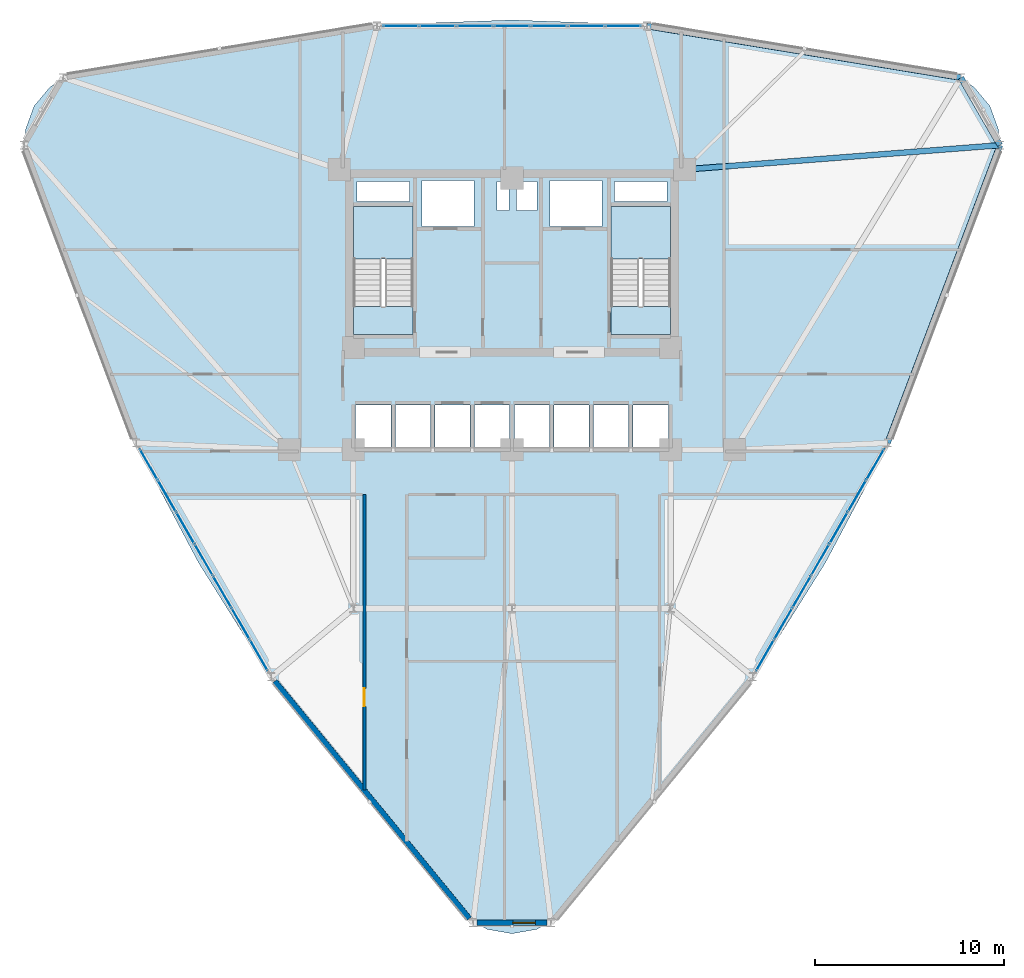
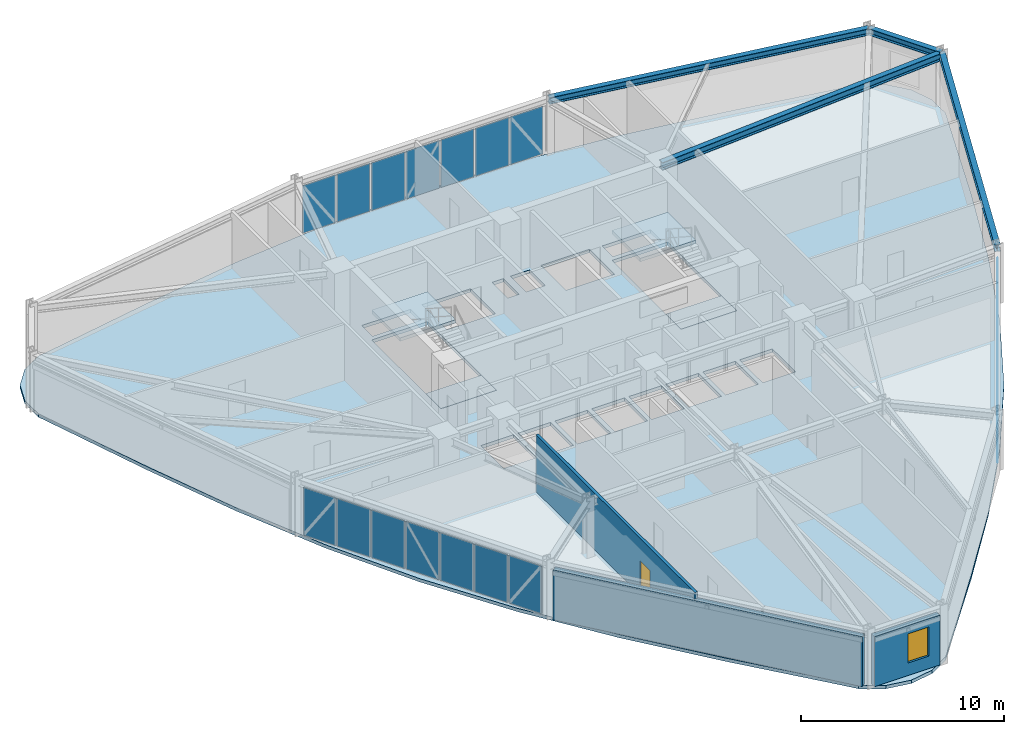
# One storey, part 11 of 17: 21 plates, 5 slabs, 4 beams, 3 walls, 1 door, 1 window, 2 openings, 5 elements without a shape of their own.
"""IFC4 building model written with IfcOpenShell, lengths in metres."""

from ifc_helpers import new_model, si_unit, derived_unit, direction, frame, frame_2d, origin, origin_2d, place, context, subcontext, project, spatial, polyline, rectangle, i_section, outline, extrude, source, transform, mapped, material, layer, layer_set, material_profile, profile_set, type_object, element, fill, aggregate, save


model = new_model("IFC4")

# Units and contexts
model_context = context("Model", 3, precision=1e-05, world=origin(), true_north=direction((0.0, 1.0)))
body_context = subcontext(model_context, "Body", "Model", "MODEL_VIEW")
ifc_project = project(units=[si_unit("LENGTHUNIT", "METRE"), si_unit("AREAUNIT", "SQUARE_METRE"), si_unit("VOLUMEUNIT", "CUBIC_METRE"), si_unit("PLANEANGLEUNIT", "RADIAN"), si_unit("MASSUNIT", "GRAM", prefix="KILO"), derived_unit("THERMALTRANSMITTANCEUNIT", [(si_unit("POWERUNIT", "WATT"), 1), (si_unit("LENGTHUNIT", "METRE"), -2), (si_unit("THERMODYNAMICTEMPERATUREUNIT", "KELVIN"), -1)])], contexts=[model_context])

# Site, building, storey
site_placement = place(None, origin())
site = spatial("IfcSite", under=ifc_project, at=site_placement, CompositionType="ELEMENT")
building_placement = place(site_placement, origin())
building = spatial("IfcBuilding", under=site, at=building_placement, Name="Korsvarv Bourse and Concert Hall", CompositionType="ELEMENT")
storey_placement = place(building_placement, frame((0.0, 0.0, 102.60009765625)))
storey = spatial("IfcBuildingStorey", under=building, at=storey_placement, Name="L25", CompositionType="ELEMENT", Elevation=102.60009765625)

# Beams
ifc_material_1 = material(Name="Steel S355", Category="steel")
ifc_material_profile_1 = material_profile(ifc_material_1, i_section(OverallWidth=0.300048828125, OverallDepth=0.39990234375, WebThickness=0.013427734375, FlangeThickness=0.02392578125, FilletRadius=0.02099609375, at=origin_2d()), Name="HEB 400")
ifc_profile_set_1 = profile_set([ifc_material_profile_1], Name="Steel S355")
beam_type_1 = type_object("IfcBeamType", Name="BM-HEB400", PredefinedType="SPANDREL", material=ifc_profile_set_1)
shared_shape_1 = source(origin(), body_context, "Body", "SweptSolid", [
    extrude(i_section(OverallWidth=0.300048828125, OverallDepth=0.39990234375, WebThickness=0.013427734375, FlangeThickness=0.02392578125, FilletRadius=0.02099609375, at=origin_2d()), origin(), (0.0, 0.0, 1.0), 4.136962890625),
])
beam_1_placement = place(storey_placement, frame((61.851318359375, 48.536865234375, 3.199951171875), z_axis=(-0.500042586076, 0.866000815306, 0.0), x_axis=(-0.866000815306, -0.500042586076, 0.0)))
element("IfcBeam", 1, at=beam_1_placement, inside=storey, type_object=beam_type_1, Name="L25 beam B-09", PredefinedType="SPANDREL", context=body_context, shape_type="MappedRepresentation", body=[
    mapped(shared_shape_1, transform((0.0, 0.0, 0.0), scale=1.0)),
])
shared_shape_2 = source(origin(), body_context, "Body", "SweptSolid", [
    extrude(i_section(OverallWidth=0.300048828125, OverallDepth=0.39990234375, WebThickness=0.013427734375, FlangeThickness=0.02392578125, FilletRadius=0.02099609375, at=origin_2d()), origin(), (0.0, 0.0, 1.0), 16.856201171875),
])
for number, where, z_axis, x_axis, name in (
    (2, (59.78271484375, 52.119384765625, 3.199951171875), (-0.986776405202, 0.162087402768, 0.0), (-0.162087402768, -0.986776405202, 0.0), "L25 beam B-09"),
    (3, (55.900634765625, 32.765869140625, 3.199951171875), (0.353024240889, 0.935614175472, 0.0), (-0.935614175472, 0.353024240889, 0.0), "L25 beam B-09"),
):
    element("IfcBeam", number, at=place(storey_placement, frame(where, z_axis=z_axis, x_axis=x_axis)), inside=storey, type_object=beam_type_1, Name=name, PredefinedType="SPANDREL", context=body_context, shape_type="MappedRepresentation", body=[
        mapped(shared_shape_2, transform((0.0, 0.0, 0.0), scale=1.0)),
    ])
ifc_material_profile_2 = material_profile(ifc_material_1, i_section(OverallWidth=0.300048828125, OverallDepth=0.449951171875, WebThickness=0.013916015625, FlangeThickness=0.02587890625, FilletRadius=0.02099609375, at=origin_2d()), Name="HEB 450")
ifc_profile_set_2 = profile_set([ifc_material_profile_2], Name="Steel S355")
beam_type_2 = type_object("IfcBeamType", Name="BM-HEB450", PredefinedType="SPANDREL", material=ifc_profile_set_2)
shared_shape_3 = source(origin(), body_context, "Body", "SweptSolid", [
    extrude(i_section(OverallWidth=0.300048828125, OverallDepth=0.449951171875, WebThickness=0.013916015625, FlangeThickness=0.02587890625, FilletRadius=0.02099609375, at=origin_2d()), origin(), (0.0, 0.0, 1.0), 16.7509765625),
])
beam_2_placement = place(storey_placement, frame((61.851318359375, 48.536865234375, 3.1748046875), z_axis=(-0.997044703744, -0.076823555869, 0.0), x_axis=(0.076823555869, -0.997044703744, 0.0)))
element("IfcBeam", 4, at=beam_2_placement, inside=storey, type_object=beam_type_2, Name="L25 beam B-08", PredefinedType="SPANDREL", context=body_context, shape_type="MappedRepresentation", body=[
    mapped(shared_shape_3, transform((0.0, 0.0, 0.0), scale=1.0)),
])

# Slabs
ifc_material_2 = material(Name="Precast concrete C45/55", Category="concrete")
ifc_layer_1 = layer(ifc_material_2, 0.199951171875)
ifc_layer_set_1 = layer_set([ifc_layer_1], Name="Precast concrete C45/55")
slab_type_1 = type_object("IfcSlabType", Name="SLB-FLND-T", PredefinedType="LANDING", material=ifc_layer_set_1)
slab_1_placement = place(storey_placement, frame((0.0, 0.0, -0.2001953125)))
element("IfcSlab", 5, at=slab_1_placement, inside=storey, type_object=slab_type_1, Name="L25 Stair ST-T1 Floor Landing Slab", PredefinedType="LANDING", context=body_context, shape_type="SweptSolid", body=[
    extrude(outline(polyline([(30.760009765625, 38.5), (30.760009765625, 40.0), (27.60009765625, 40.0), (27.60009765625, 38.5), (30.760009765625, 38.5)])), origin(), (0.0, 0.0, 1.0), 0.2001953125),
])
slab_2_placement = place(storey_placement, frame((0.0, 0.0, -0.2001953125)))
element("IfcSlab", 6, at=slab_2_placement, inside=storey, type_object=slab_type_1, Name="L25 Stair ST-T2 Floor Landing Slab", PredefinedType="LANDING", context=body_context, shape_type="SweptSolid", body=[
    extrude(outline(polyline([(44.39990234375, 38.5), (44.39990234375, 40.0), (41.239990234375, 40.0), (41.239990234375, 38.5), (44.39990234375, 38.5)])), origin(), (0.0, 0.0, 1.0), 0.2001953125),
])

# Stair, slab
stair_type = type_object("IfcStairType", Name="STR-TYPE-04", PredefinedType="HALF_TURN_STAIR", material=ifc_material_2)
stair_1_placement = place(storey_placement, origin())
stair_1 = element("IfcStair", 7, at=stair_1_placement, inside=storey, type_object=stair_type, Name="L25 Tower West Exit Stair ST-T1", PredefinedType="HALF_TURN_STAIR")
ifc_layer_2 = layer(ifc_material_2, 0.199951171875)
ifc_layer_set_2 = layer_set([ifc_layer_2], Name="Precast concrete C45/55")
slab_type_2 = type_object("IfcSlabType", Name="SLB-ST-LND", PredefinedType="LANDING", material=ifc_layer_set_2)
slab_3_placement = place(storey_placement, frame((0.0, 0.0, 1.599853515625)))
slab_3 = element("IfcSlab", 8, at=slab_3_placement, type_object=slab_type_2, Name="ST-T1 landing 1", PredefinedType="LANDING", context=body_context, shape_type="SweptSolid", body=[
    extrude(outline(polyline([(30.760009765625, 42.52001953125), (30.760009765625, 45.300048828125), (27.60009765625, 45.300048828125), (27.60009765625, 42.52001953125), (30.760009765625, 42.52001953125)])), origin(), (0.0, 0.0, 1.0), 0.199951171875),
])
aggregate(stair_1, [slab_3])

stair_2_placement = place(storey_placement, origin())
stair_2 = element("IfcStair", 9, at=stair_2_placement, inside=storey, type_object=stair_type, Name="L25 Tower East Exit Stair ST-T2", PredefinedType="HALF_TURN_STAIR")
slab_4_placement = place(storey_placement, frame((0.0, 0.0, 1.599853515625)))
slab_4 = element("IfcSlab", 10, at=slab_4_placement, type_object=slab_type_2, Name="ST-T2 landing 1", PredefinedType="LANDING", context=body_context, shape_type="SweptSolid", body=[
    extrude(outline(polyline([(44.39990234375, 42.52001953125), (44.39990234375, 45.300048828125), (41.239990234375, 45.300048828125), (41.239990234375, 42.52001953125), (44.39990234375, 42.52001953125)])), origin(), (0.0, 0.0, 1.0), 0.199951171875),
])
aggregate(stair_2, [slab_4])

# Slab
ifc_material_3 = material(Name="Concrete C45/55", Category="concrete")
ifc_layer_3 = layer(ifc_material_3, 0.199951171875)
ifc_layer_set_3 = layer_set([ifc_layer_3], Name="Concrete C45/55")
slab_type_3 = type_object("IfcSlabType", Name="SLB-TW2", PredefinedType="FLOOR", material=ifc_layer_set_3)
slab_5_placement = place(storey_placement, frame((0.0, 0.0, -0.2001953125)))
element("IfcSlab", 11, at=slab_5_placement, inside=storey, type_object=slab_type_3, Name="L25 tower structural floor slab", PredefinedType="FLOOR", context=body_context, shape_type="SweptSolid", body=[
    extrude(outline(polyline([(61.257568359375, 46.618896484375), (59.3818359375, 41.369384765625), (57.382080078125, 36.216796875), (55.147216796875, 31.220458984375), (52.6005859375, 26.41552734375), (49.712646484375, 21.807861328125), (46.50341796875, 17.3740234375), (43.041015625, 13.06591796875), (39.4326171875, 8.81689453125), (39.429443359375, 8.81298828125), (38.47119140625, 7.671142578125), (37.31494140625, 7.003662109375), (36.0, 6.771728515625), (34.68505859375, 7.003662109375), (33.52880859375, 7.671142578125), (32.570556640625, 8.81298828125), (32.5673828125, 8.81689453125), (28.958984375, 13.06591796875), (25.49658203125, 17.3740234375), (22.287353515625, 21.807861328125), (19.3994140625, 26.41552734375), (16.852783203125, 31.220458984375), (14.617919921875, 36.216796875), (12.6181640625, 41.369384765625), (10.742431640625, 46.618896484375), (10.740478515625, 46.623779296875), (10.230712890625, 48.024169921875), (10.230712890625, 49.359375), (10.6875, 50.614013671875), (11.5458984375, 51.636962890625), (12.7021484375, 52.3046875), (14.169921875, 52.5634765625), (14.175048828125, 52.564453125), (19.6591796875, 53.564697265625), (25.12109375, 54.4091796875), (30.5654296875, 54.9716796875), (36.0, 55.168701171875), (41.4345703125, 54.9716796875), (46.87890625, 54.4091796875), (52.3408203125, 53.564697265625), (57.824951171875, 52.564453125), (57.830078125, 52.5634765625), (59.2978515625, 52.3046875), (60.4541015625, 51.636962890625), (61.3125, 50.614013671875), (61.769287109375, 49.359375), (61.769287109375, 48.024169921875), (61.259521484375, 46.623779296875), (61.257568359375, 46.618896484375)]), holes=[polyline([(30.760009765625, 38.5), (30.760009765625, 45.300048828125), (27.60009765625, 45.300048828125), (27.60009765625, 38.5), (30.760009765625, 38.5)]), polyline([(44.39990234375, 38.5), (44.39990234375, 45.300048828125), (41.239990234375, 45.300048828125), (41.239990234375, 38.5), (44.39990234375, 38.5)]), polyline([(31.239990234375, 44.219970703125), (34.0, 44.219970703125), (34.0, 46.679931640625), (31.239990234375, 46.679931640625), (31.239990234375, 44.219970703125)]), polyline([(38.0, 44.219970703125), (40.760009765625, 44.219970703125), (40.760009765625, 46.679931640625), (38.0, 46.679931640625), (38.0, 44.219970703125)]), polyline([(27.719970703125, 32.52001953125), (29.580078125, 32.52001953125), (29.580078125, 34.780029296875), (27.719970703125, 34.780029296875), (27.719970703125, 32.52001953125)]), polyline([(29.820068359375, 32.52001953125), (31.679931640625, 32.52001953125), (31.679931640625, 34.780029296875), (29.820068359375, 34.780029296875), (29.820068359375, 32.52001953125)]), polyline([(31.919921875, 32.52001953125), (33.780029296875, 32.52001953125), (33.780029296875, 34.780029296875), (31.919921875, 34.780029296875), (31.919921875, 32.52001953125)]), polyline([(34.02001953125, 32.52001953125), (35.8798828125, 32.52001953125), (35.8798828125, 34.780029296875), (34.02001953125, 34.780029296875), (34.02001953125, 32.52001953125)]), polyline([(36.1201171875, 32.52001953125), (37.97998046875, 32.52001953125), (37.97998046875, 34.780029296875), (36.1201171875, 34.780029296875), (36.1201171875, 32.52001953125)]), polyline([(38.219970703125, 32.52001953125), (40.080078125, 32.52001953125), (40.080078125, 34.780029296875), (38.219970703125, 34.780029296875), (38.219970703125, 32.52001953125)]), polyline([(40.320068359375, 32.52001953125), (42.179931640625, 32.52001953125), (42.179931640625, 34.780029296875), (40.320068359375, 34.780029296875), (40.320068359375, 32.52001953125)]), polyline([(42.419921875, 32.52001953125), (44.280029296875, 32.52001953125), (44.280029296875, 34.780029296875), (42.419921875, 34.780029296875), (42.419921875, 32.52001953125)]), polyline([(27.800048828125, 45.56005859375), (30.56005859375, 45.56005859375), (30.56005859375, 46.6201171875), (27.800048828125, 46.6201171875), (27.800048828125, 45.56005859375)]), polyline([(41.43994140625, 45.56005859375), (44.199951171875, 45.56005859375), (44.199951171875, 46.6201171875), (41.43994140625, 46.6201171875), (41.43994140625, 45.56005859375)]), polyline([(35.199951171875, 45.080078125), (35.840087890625, 45.080078125), (35.840087890625, 46.6201171875), (35.199951171875, 46.6201171875), (35.199951171875, 45.080078125)]), polyline([(36.239990234375, 45.080078125), (37.320068359375, 45.080078125), (37.320068359375, 46.6201171875), (36.239990234375, 46.6201171875), (36.239990234375, 45.080078125)])]), origin(), (0.0, 0.0, 1.0), 0.2001953125),
])

# Curtain wall, plates
ifc_material_4 = material(Name="Anodised aluminium and triple low-E glazing", Category="glass")
ifc_layer_4 = layer(ifc_material_4, 0.2099609375)
ifc_layer_set_4 = layer_set([ifc_layer_4], Name="Anodised aluminium and triple low-E glazing")
curtain_wall_type = type_object("IfcCurtainWallType", Name="CW-SYS-2", PredefinedType="NOTDEFINED", material=ifc_layer_set_4)
curtain_wall_1_placement = place(storey_placement, origin())
curtain_wall_1 = element("IfcCurtainWall", 12, at=curtain_wall_1_placement, inside=storey, type_object=curtain_wall_type, Name="L25 CW2 curtain wall CW-L25-F03", PredefinedType="NOTDEFINED")
ifc_material_5 = material(Name="Insulated spandrel glass", Category="glass")
ifc_layer_5 = layer(ifc_material_5, 0.031982421875)
ifc_layer_set_5 = layer_set([ifc_layer_5], Name="Insulated spandrel glass")
plate_type_1 = type_object("IfcPlateType", Name="CWP-SPD1", PredefinedType="CURTAIN_PANEL", material=ifc_layer_set_5)
shared_shape_4 = source(origin(), body_context, "Body", "SweptSolid", [
    extrude(rectangle(XDim=1.86376953125, YDim=0.031982421875, at=origin_2d()), origin(), (0.0, 0.0, 1.0), 2.8701171875),
])
plate_1_placement = place(storey_placement, frame((41.888671875, 54.8515625, 0.06494140625), z_axis=(0.0, 0.0, 1.0), x_axis=(-1.0, 0.0, 0.0)))
plate_1 = element("IfcPlate", 13, at=plate_1_placement, type_object=plate_type_1, Name="CW2 spandrel shadow-box panel 1.1", PredefinedType="CURTAIN_PANEL", context=body_context, shape_type="MappedRepresentation", body=[
    mapped(shared_shape_4, transform((0.0, 0.0, 0.0), scale=1.0)),
])
plate_2_placement = place(storey_placement, frame((30.111328125, 54.8515625, 0.06494140625), z_axis=(0.0, 0.0, 1.0), x_axis=(-1.0, 0.0, 0.0)))
plate_2 = element("IfcPlate", 14, at=plate_2_placement, type_object=plate_type_1, Name="CW2 spandrel shadow-box panel 7.1", PredefinedType="CURTAIN_PANEL", context=body_context, shape_type="MappedRepresentation", body=[
    mapped(shared_shape_4, transform((0.0, 0.0, 0.0), scale=1.0)),
])
ifc_material_6 = material(Name="Tempered triple insulated low-E architectural glass", Category="glass")
ifc_layer_6 = layer(ifc_material_6, 0.0380859375)
ifc_layer_set_6 = layer_set([ifc_layer_6], Name="Tempered triple insulated low-E architectural glass")
plate_type_2 = type_object("IfcPlateType", Name="CWP-VIS2", PredefinedType="CURTAIN_PANEL", material=ifc_layer_set_6)
shared_shape_5 = source(origin(), body_context, "Body", "SweptSolid", [
    extrude(rectangle(XDim=1.898681640625, YDim=0.0380859375, at=origin_2d()), origin(), (0.0, 0.0, 1.0), 2.8701171875),
])
plate_3_placement = place(storey_placement, frame((39.937255859375, 54.8515625, 0.06494140625), z_axis=(0.0, 0.0, 1.0), x_axis=(-1.0, 0.0, 0.0)))
plate_3 = element("IfcPlate", 15, at=plate_3_placement, type_object=plate_type_2, Name="CW2 faceted panel 2.1", PredefinedType="CURTAIN_PANEL", context=body_context, shape_type="MappedRepresentation", body=[
    mapped(shared_shape_5, transform((0.0, 0.0, 0.0), scale=1.0)),
])
plate_4_placement = place(storey_placement, frame((37.96875, 54.8515625, 0.06494140625), z_axis=(0.0, 0.0, 1.0), x_axis=(-1.0, 0.0, 0.0)))
plate_4 = element("IfcPlate", 16, at=plate_4_placement, type_object=plate_type_2, Name="CW2 faceted panel 3.1", PredefinedType="CURTAIN_PANEL", context=body_context, shape_type="MappedRepresentation", body=[
    mapped(shared_shape_5, transform((0.0, 0.0, 0.0), scale=1.0)),
])
plate_5_placement = place(storey_placement, frame((34.03125, 54.8515625, 0.06494140625), z_axis=(0.0, 0.0, 1.0), x_axis=(-1.0, 0.0, 0.0)))
plate_5 = element("IfcPlate", 17, at=plate_5_placement, type_object=plate_type_2, Name="CW2 faceted panel 5.1", PredefinedType="CURTAIN_PANEL", context=body_context, shape_type="MappedRepresentation", body=[
    mapped(shared_shape_5, transform((0.0, 0.0, 0.0), scale=1.0)),
])
plate_6_placement = place(storey_placement, frame((32.062744140625, 54.8515625, 0.06494140625), z_axis=(0.0, 0.0, 1.0), x_axis=(-1.0, 0.0, 0.0)))
plate_6 = element("IfcPlate", 18, at=plate_6_placement, type_object=plate_type_2, Name="CW2 faceted panel 6.1", PredefinedType="CURTAIN_PANEL", context=body_context, shape_type="MappedRepresentation", body=[
    mapped(shared_shape_5, transform((0.0, 0.0, 0.0), scale=1.0)),
])
shared_shape_6 = source(origin(), body_context, "Body", "SweptSolid", [
    extrude(rectangle(XDim=1.898681640625, YDim=0.031982421875, at=origin_2d()), origin(), (0.0, 0.0, 1.0), 2.8701171875),
])
plate_7_placement = place(storey_placement, frame((36.0, 54.8515625, 0.06494140625), z_axis=(0.0, 0.0, 1.0), x_axis=(-1.0, 0.0, 0.0)))
plate_7 = element("IfcPlate", 19, at=plate_7_placement, type_object=plate_type_1, Name="CW2 spandrel shadow-box panel 4.1", PredefinedType="CURTAIN_PANEL", context=body_context, shape_type="MappedRepresentation", body=[
    mapped(shared_shape_6, transform((0.0, 0.0, 0.0), scale=1.0)),
])
aggregate(curtain_wall_1, [plate_1, plate_3, plate_4, plate_7, plate_5, plate_6, plate_2])

curtain_wall_2_placement = place(storey_placement, origin())
curtain_wall_2 = element("IfcCurtainWall", 20, at=curtain_wall_2_placement, inside=storey, type_object=curtain_wall_type, Name="L25 CW2 curtain wall CW-L25-F07", PredefinedType="NOTDEFINED")
shared_shape_7 = source(origin(), body_context, "Body", "SweptSolid", [
    extrude(rectangle(XDim=1.84619140625, YDim=0.031982421875, at=origin_2d()), origin(), (0.0, 0.0, 1.0), 2.8701171875),
])
plate_8_placement = place(storey_placement, frame((16.756103515625, 31.628173828125, 0.06494140625), z_axis=(0.0, 0.0, 1.0), x_axis=(0.500002376695, -0.866024031595, 0.0)))
plate_8 = element("IfcPlate", 21, at=plate_8_placement, type_object=plate_type_1, Name="CW2 spandrel shadow-box panel 1.1", PredefinedType="CURTAIN_PANEL", context=body_context, shape_type="MappedRepresentation", body=[
    mapped(shared_shape_7, transform((0.0, 0.0, 0.0), scale=1.0)),
])
plate_9_placement = place(storey_placement, frame((22.592041015625, 21.520263671875, 0.06494140625), z_axis=(0.0, 0.0, 1.0), x_axis=(0.500002376695, -0.866024031595, 0.0)))
plate_9 = element("IfcPlate", 22, at=plate_9_placement, type_object=plate_type_1, Name="CW2 spandrel shadow-box panel 7.1", PredefinedType="CURTAIN_PANEL", context=body_context, shape_type="MappedRepresentation", body=[
    mapped(shared_shape_7, transform((0.0, 0.0, 0.0), scale=1.0)),
])

curtain_wall_3_placement = place(storey_placement, origin())
curtain_wall_3 = element("IfcCurtainWall", 23, at=curtain_wall_3_placement, inside=storey, type_object=curtain_wall_type, Name="L25 CW2 curtain wall CW-L25-F11", PredefinedType="NOTDEFINED")
plate_10_placement = place(storey_placement, frame((49.407958984375, 21.520263671875, 0.06494140625), z_axis=(0.0, 0.0, 1.0), x_axis=(0.500002376695, 0.866024031595, 0.0)))
plate_10 = element("IfcPlate", 24, at=plate_10_placement, type_object=plate_type_1, Name="CW2 spandrel shadow-box panel 1.1", PredefinedType="CURTAIN_PANEL", context=body_context, shape_type="MappedRepresentation", body=[
    mapped(shared_shape_7, transform((0.0, 0.0, 0.0), scale=1.0)),
])
plate_11_placement = place(storey_placement, frame((55.243896484375, 31.628173828125, 0.06494140625), z_axis=(0.0, 0.0, 1.0), x_axis=(0.500002376695, 0.866024031595, 0.0)))
plate_11 = element("IfcPlate", 25, at=plate_11_placement, type_object=plate_type_1, Name="CW2 spandrel shadow-box panel 7.1", PredefinedType="CURTAIN_PANEL", context=body_context, shape_type="MappedRepresentation", body=[
    mapped(shared_shape_7, transform((0.0, 0.0, 0.0), scale=1.0)),
])

# Plate
shared_shape_8 = source(origin(), body_context, "Body", "SweptSolid", [
    extrude(rectangle(XDim=1.881103515625, YDim=0.0380859375, at=origin_2d()), origin(), (0.0, 0.0, 1.0), 2.8701171875),
])
plate_12_placement = place(storey_placement, frame((17.722900390625, 29.95361328125, 0.06494140625), z_axis=(0.0, 0.0, 1.0), x_axis=(0.500002376695, -0.866024031595, 0.0)))
plate_12 = element("IfcPlate", 26, at=plate_12_placement, type_object=plate_type_2, Name="CW2 faceted panel 2.1", PredefinedType="CURTAIN_PANEL", context=body_context, shape_type="MappedRepresentation", body=[
    mapped(shared_shape_8, transform((0.0, 0.0, 0.0), scale=1.0)),
])

plate_13_placement = place(storey_placement, frame((18.698486328125, 28.263916015625, 0.06494140625), z_axis=(0.0, 0.0, 1.0), x_axis=(0.500002376695, -0.866024031595, 0.0)))
plate_13 = element("IfcPlate", 27, at=plate_13_placement, type_object=plate_type_2, Name="CW2 faceted panel 3.1", PredefinedType="CURTAIN_PANEL", context=body_context, shape_type="MappedRepresentation", body=[
    mapped(shared_shape_8, transform((0.0, 0.0, 0.0), scale=1.0)),
])

plate_14_placement = place(storey_placement, frame((20.649658203125, 24.884521484375, 0.06494140625), z_axis=(0.0, 0.0, 1.0), x_axis=(0.500002376695, -0.866024031595, 0.0)))
plate_14 = element("IfcPlate", 28, at=plate_14_placement, type_object=plate_type_2, Name="CW2 faceted panel 5.1", PredefinedType="CURTAIN_PANEL", context=body_context, shape_type="MappedRepresentation", body=[
    mapped(shared_shape_8, transform((0.0, 0.0, 0.0), scale=1.0)),
])

plate_15_placement = place(storey_placement, frame((21.625244140625, 23.19482421875, 0.06494140625), z_axis=(0.0, 0.0, 1.0), x_axis=(0.500002376695, -0.866024031595, 0.0)))
plate_15 = element("IfcPlate", 29, at=plate_15_placement, type_object=plate_type_2, Name="CW2 faceted panel 6.1", PredefinedType="CURTAIN_PANEL", context=body_context, shape_type="MappedRepresentation", body=[
    mapped(shared_shape_8, transform((0.0, 0.0, 0.0), scale=1.0)),
])

plate_16_placement = place(storey_placement, frame((50.374755859375, 23.19482421875, 0.06494140625), z_axis=(0.0, 0.0, 1.0), x_axis=(0.500002376695, 0.866024031595, 0.0)))
plate_16 = element("IfcPlate", 30, at=plate_16_placement, type_object=plate_type_2, Name="CW2 faceted panel 2.1", PredefinedType="CURTAIN_PANEL", context=body_context, shape_type="MappedRepresentation", body=[
    mapped(shared_shape_8, transform((0.0, 0.0, 0.0), scale=1.0)),
])

plate_17_placement = place(storey_placement, frame((51.350341796875, 24.884521484375, 0.06494140625), z_axis=(0.0, 0.0, 1.0), x_axis=(0.500002376695, 0.866024031595, 0.0)))
plate_17 = element("IfcPlate", 31, at=plate_17_placement, type_object=plate_type_2, Name="CW2 faceted panel 3.1", PredefinedType="CURTAIN_PANEL", context=body_context, shape_type="MappedRepresentation", body=[
    mapped(shared_shape_8, transform((0.0, 0.0, 0.0), scale=1.0)),
])

plate_18_placement = place(storey_placement, frame((53.301513671875, 28.263916015625, 0.06494140625), z_axis=(0.0, 0.0, 1.0), x_axis=(0.500002376695, 0.866024031595, 0.0)))
plate_18 = element("IfcPlate", 32, at=plate_18_placement, type_object=plate_type_2, Name="CW2 faceted panel 5.1", PredefinedType="CURTAIN_PANEL", context=body_context, shape_type="MappedRepresentation", body=[
    mapped(shared_shape_8, transform((0.0, 0.0, 0.0), scale=1.0)),
])

plate_19_placement = place(storey_placement, frame((54.277099609375, 29.95361328125, 0.06494140625), z_axis=(0.0, 0.0, 1.0), x_axis=(0.500002376695, 0.866024031595, 0.0)))
plate_19 = element("IfcPlate", 33, at=plate_19_placement, type_object=plate_type_2, Name="CW2 faceted panel 6.1", PredefinedType="CURTAIN_PANEL", context=body_context, shape_type="MappedRepresentation", body=[
    mapped(shared_shape_8, transform((0.0, 0.0, 0.0), scale=1.0)),
])

shared_shape_9 = source(origin(), body_context, "Body", "SweptSolid", [
    extrude(rectangle(XDim=1.881103515625, YDim=0.031982421875, at=origin_2d()), origin(), (0.0, 0.0, 1.0), 2.8701171875),
])
plate_20_placement = place(storey_placement, frame((19.674072265625, 26.57421875, 0.06494140625), z_axis=(0.0, 0.0, 1.0), x_axis=(0.500002376695, -0.866024031595, 0.0)))
plate_20 = element("IfcPlate", 34, at=plate_20_placement, type_object=plate_type_1, Name="CW2 spandrel shadow-box panel 4.1", PredefinedType="CURTAIN_PANEL", context=body_context, shape_type="MappedRepresentation", body=[
    mapped(shared_shape_9, transform((0.0, 0.0, 0.0), scale=1.0)),
])

aggregate(curtain_wall_2, [plate_8, plate_12, plate_13, plate_20, plate_14, plate_15, plate_9])

plate_21_placement = place(storey_placement, frame((52.325927734375, 26.57421875, 0.06494140625), z_axis=(0.0, 0.0, 1.0), x_axis=(0.500002376695, 0.866024031595, 0.0)))
plate_21 = element("IfcPlate", 35, at=plate_21_placement, type_object=plate_type_1, Name="CW2 spandrel shadow-box panel 4.1", PredefinedType="CURTAIN_PANEL", context=body_context, shape_type="MappedRepresentation", body=[
    mapped(shared_shape_9, transform((0.0, 0.0, 0.0), scale=1.0)),
])

aggregate(curtain_wall_3, [plate_10, plate_16, plate_17, plate_21, plate_18, plate_19, plate_11])

# Wall, opening, window
ifc_material_7 = material(Name="Precast concrete C45/55 with terracotta rainscreen", Category="concrete")
ifc_layer_7 = layer(ifc_material_7, 0.300048828125)
ifc_layer_set_7 = layer_set([ifc_layer_7], Name="Precast concrete C45/55 with terracotta rainscreen")
wall_type_1 = type_object("IfcWallType", Name="WL-EXT-TC1", PredefinedType="SOLIDWALL", material=ifc_layer_set_7)
wall_1_placement = place(storey_placement, frame((34.1455078125, 7.34375, 0.0), z_axis=(0.0, 0.0, 1.0), x_axis=(1.0, 0.0, 0.0)))
wall_1 = element("IfcWall", 36, at=wall_1_placement, inside=storey, type_object=wall_type_1, Name="L25 terracotta exterior wall EW-L25-B09", PredefinedType="SOLIDWALL", context=body_context, shape_type="SweptSolid", body=[
    extrude(rectangle(XDim=3.708984375, YDim=0.300048828125, at=frame_2d((1.8544921875, 0.0))), origin(), (0.0, 0.0, 1.0), 3.0),
])
opening_1_placement = place(wall_1_placement, frame((1.895263671875, 0.0, 0.75)))
opening_1 = element("IfcOpeningElement", 37, at=opening_1_placement, cuts=wall_1, Name="Opening W-08", PredefinedType="OPENING", context=body_context, shape_type="SweptSolid", body=[
    extrude(rectangle(XDim=1.199951171875, YDim=1.75, at=frame_2d((0.60009765625, 0.875))), frame((0.0, 0.16015625, 0.0), z_axis=(0.0, -1.0, 0.0), x_axis=(1.0, 0.0, 0.0)), (0.0, 0.0, 1.0), 0.320068359375),
])
ifc_material_8 = material(Name="Thermally broken aluminium frame with triple low-E glass", Category="glass")
window_type = type_object("IfcWindowType", Name="WIN-TW1-1200X1750", PartitioningType="SINGLE_PANEL", PredefinedType="WINDOW", material=ifc_material_8)
window_placement = place(opening_1_placement, origin())
window = element("IfcWindow", 38, at=window_placement, inside=storey, type_object=window_type, Name="L25 punched facade window W-08", OverallHeight=1.75, OverallWidth=1.199951171875, PartitioningType="SINGLE_PANEL", PredefinedType="WINDOW", context=body_context, shape_type="SweptSolid", body=[
    extrude(rectangle(XDim=1.199951171875, YDim=1.75, at=frame_2d((0.60009765625, 0.875))), frame((0.0, 0.030029296875, 0.0), z_axis=(0.0, -1.0, 0.0), x_axis=(1.0, 0.0, 0.0)), (0.0, 0.0, 1.0), 0.06005859375),
])
fill(opening_1, window)

# Wall
ifc_material_9 = material(Name="Precast concrete C45/55 with fluted terracotta pier", Category="concrete")
ifc_layer_8 = layer(ifc_material_9, 0.280029296875)
ifc_layer_set_8 = layer_set([ifc_layer_8], Name="Precast concrete C45/55 with fluted terracotta pier")
wall_type_2 = type_object("IfcWallType", Name="WL-EXT-TC2", PredefinedType="SOLIDWALL", material=ifc_layer_set_8)
wall_2_placement = place(storey_placement, frame((23.439208984375, 20.150146484375, 0.0), z_axis=(0.0, 0.0, 1.0), x_axis=(0.633768446385, -0.773522822137, 0.0)))
element("IfcWall", 39, at=wall_2_placement, inside=storey, type_object=wall_type_2, Name="L25 terracotta exterior wall EW-L25-B08", PredefinedType="SOLIDWALL", context=body_context, shape_type="SweptSolid", body=[
    extrude(rectangle(XDim=16.255126953125, YDim=0.280029296875, at=frame_2d((8.12744140625, 0.0))), origin(), (0.0, 0.0, 1.0), 3.0),
])

# Wall, opening, door
ifc_material_10 = material(Name="Double-stud fire-rated acoustic partition", Category="gypsum")
ifc_layer_9 = layer(ifc_material_10, 0.159912109375)
ifc_layer_set_9 = layer_set([ifc_layer_9], Name="Double-stud fire-rated acoustic partition")
wall_type_3 = type_object("IfcWallType", Name="WL-INT-EI60", PredefinedType="PARTITIONING", material=ifc_layer_set_9)
wall_3_placement = place(storey_placement, frame((28.175048828125, 14.389892578125, 0.0), z_axis=(0.0, 0.0, 1.0), x_axis=(0.0, 1.0, 0.0)))
wall_3 = element("IfcWall", 40, at=wall_3_placement, inside=storey, type_object=wall_type_3, Name="L25 interior partition wall W-L25-TCOR-05", PredefinedType="PARTITIONING", context=body_context, shape_type="SweptSolid", body=[
    extrude(rectangle(XDim=15.64013671875, YDim=0.159912109375, at=frame_2d((7.820068359375, 0.0))), origin(), (0.0, 0.0, 1.0), 3.39990234375),
])
opening_2_placement = place(wall_3_placement, frame((4.427001953125, 0.0, 0.0)))
opening_2 = element("IfcOpeningElement", 41, at=opening_2_placement, cuts=wall_3, Name="Opening D-02", PredefinedType="OPENING", context=body_context, shape_type="SweptSolid", body=[
    extrude(rectangle(XDim=0.949951171875, YDim=2.050048828125, at=frame_2d((0.47509765625, 1.02490234375))), frame((0.0, 0.08984375, 0.0), z_axis=(0.0, -1.0, 0.0), x_axis=(1.0, 0.0, 0.0)), (0.0, 0.0, 1.0), 0.179931640625),
])
ifc_material_11 = material(Name="Timber and steel acoustic fire door", Category="wood")
door_type = type_object("IfcDoorType", Name="DR-FD30", OperationType="NOTDEFINED", PredefinedType="DOOR", material=ifc_material_11)
door_placement = place(opening_2_placement, origin())
door = element("IfcDoor", 42, at=door_placement, inside=storey, type_object=door_type, Name="L25 interior door DR-L25-TCOR-CC111", OperationType="SINGLE_SWING_LEFT", OverallHeight=2.050048828125, OverallWidth=0.949951171875, PredefinedType="DOOR", context=body_context, shape_type="SweptSolid", body=[
    extrude(rectangle(XDim=0.949951171875, YDim=2.050048828125, at=frame_2d((0.47509765625, 1.02490234375))), frame((0.0, 0.02490234375, 0.0), z_axis=(0.0, -1.0, 0.0), x_axis=(1.0, 0.0, 0.0)), (0.0, 0.0, 1.0), 0.050048828125),
])
fill(opening_2, door)

save(model, "model.ifc")
